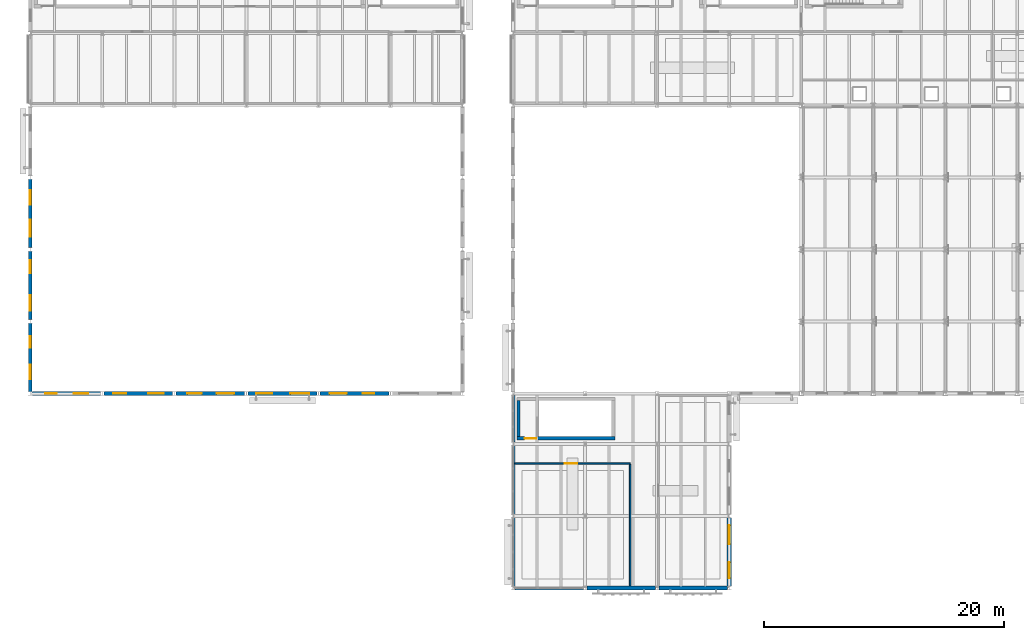
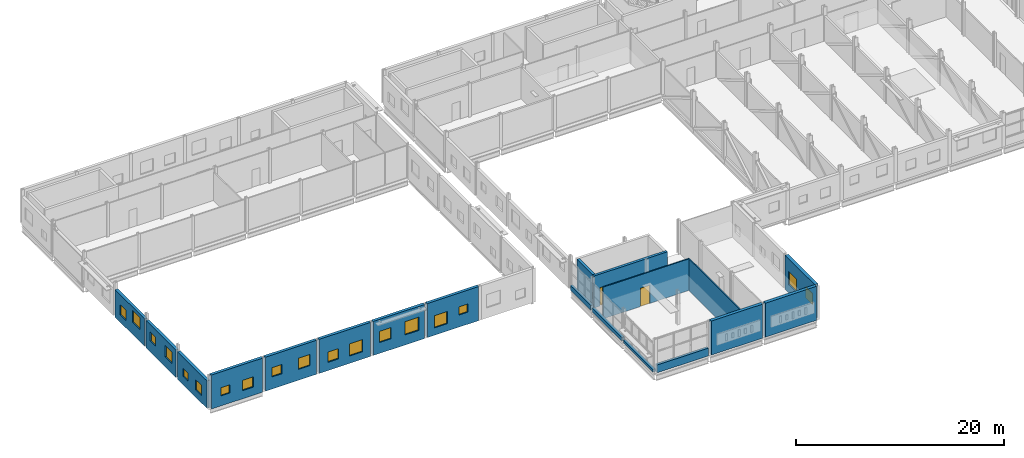
# One storey, part 63 of 92: 19 walls, 18 windows, 2 doors, 20 openings.
"""IFC4 building model written with IfcOpenShell, lengths in metres."""

from ifc_helpers import new_model, si_unit, direction, frame, frame_2d, origin, place, context, subcontext, project, spatial, rectangle, extrude, material, layer, layer_set, type_object, element, fill, save


model = new_model("IFC4")

# Units and contexts
model_context = context("Model", 3, precision=1e-05, world=origin(), true_north=direction((0.0, 1.0)))
body_context = subcontext(model_context, "Body", "Model", "MODEL_VIEW")
ifc_project = project(units=[si_unit("LENGTHUNIT", "METRE"), si_unit("AREAUNIT", "SQUARE_METRE"), si_unit("VOLUMEUNIT", "CUBIC_METRE"), si_unit("PLANEANGLEUNIT", "RADIAN"), si_unit("MASSUNIT", "GRAM", prefix="KILO")], contexts=[model_context])

# Site, building, storey
site_placement = place(None, origin())
site = spatial("IfcSite", under=ifc_project, at=site_placement, CompositionType="ELEMENT")
building_placement = place(site_placement, origin())
building = spatial("IfcBuilding", under=site, at=building_placement, Name="Siltcreek Boulevard Central Fire Station", CompositionType="ELEMENT")
storey_placement = place(building_placement, frame((0.0, 0.0, 6.0)))
storey = spatial("IfcBuildingStorey", under=building, at=storey_placement, Name="L02", CompositionType="ELEMENT", Elevation=6.0)

# Wall, opening, door
ifc_material_1 = material(Name="Concrete C40/50", Category="concrete")
ifc_layer_1 = layer(ifc_material_1, 0.280029296875, Name="Concrete C40/50")
ifc_layer_set_1 = layer_set([ifc_layer_1], Name="Concrete C40/50")
wall_type_1 = type_object("IfcWallType", Name="CW_SHEAR280", PredefinedType="SHEAR", material=ifc_layer_set_1)
wall_1_placement = place(storey_placement, frame((42.320068359375, 14.260009765625, 0.0), z_axis=(0.0, 0.0, 1.0), x_axis=(1.0, 0.0, 0.0)))
wall_1 = element("IfcWall", 1, at=wall_1_placement, inside=storey, type_object=wall_type_1, Name="L02 ST-V1P stair enclosure south shear wall", PredefinedType="SHEAR", context=body_context, shape_type="SweptSolid", body=[
    extrude(rectangle(XDim=8.159912109375, YDim=0.280029296875, at=frame_2d((4.080078125, 0.0))), origin(), (0.0, 0.0, 1.0), 3.75),
])
opening_1_placement = place(wall_1_placement, frame((0.64990234375, 0.0, 0.0)))
opening_1 = element("IfcOpeningElement", 2, at=opening_1_placement, cuts=wall_1, Name="Opening SD-019", PredefinedType="OPENING", context=body_context, shape_type="SweptSolid", body=[
    extrude(rectangle(XDim=0.97998046875, YDim=2.14990234375, at=frame_2d((0.489990234375, 1.074951171875))), frame((0.0, 0.14990234375, 0.0), z_axis=(0.0, -1.0, 0.0), x_axis=(1.0, 0.0, 0.0)), (0.0, 0.0, 1.0), 0.300048828125),
])
ifc_material_2 = material(Name="Hollow metal 90-min enclosed stair door")
door_type_1 = type_object("IfcDoorType", Name="DR_ST_098X215", OperationType="NOTDEFINED", PredefinedType="DOOR", material=ifc_material_2)
door_1_placement = place(opening_1_placement, origin())
door_1 = element("IfcDoor", 3, at=door_1_placement, inside=storey, type_object=door_type_1, Name="L02 ST-V1P enclosed exit stair door SD-019", OperationType="SINGLE_SWING_RIGHT", OverallHeight=2.14990234375, OverallWidth=0.97998046875, PredefinedType="DOOR", context=body_context, shape_type="SweptSolid", body=[
    extrude(rectangle(XDim=0.97998046875, YDim=2.14990234375, at=frame_2d((0.489990234375, 1.074951171875))), frame((0.0, 0.02490234375, 0.0), z_axis=(0.0, -1.0, 0.0), x_axis=(1.0, 0.0, 0.0)), (0.0, 0.0, 1.0), 0.050048828125),
])
fill(opening_1, door_1)

# Walls
wall_2_placement = place(storey_placement, frame((42.4599609375, 17.39990234375, 0.0), z_axis=(0.0, 0.0, 1.0), x_axis=(0.0, -1.0, 0.0)))
element("IfcWall", 4, at=wall_2_placement, inside=storey, type_object=wall_type_1, Name="L02 ST-V1P stair enclosure west shear wall", PredefinedType="SHEAR", context=body_context, shape_type="SweptSolid", body=[
    extrude(rectangle(XDim=3.0, YDim=0.280029296875, at=frame_2d((1.5, 0.0))), origin(), (0.0, 0.0, 1.0), 3.75),
])
ifc_material_3 = material(Name="Terracotta brick rainscreen on steel stud", Category="masonry")
ifc_layer_2 = layer(ifc_material_3, 0.35009765625, Name="Terracotta brick rainscreen on steel stud")
ifc_layer_set_2 = layer_set([ifc_layer_2], Name="Terracotta brick rainscreen on steel stud")
wall_type_2 = type_object("IfcWallType", Name="EW_BRICK350", PredefinedType="STANDARD", material=ifc_layer_set_2)
for number, where, z_axis, x_axis, name in (
    (5, (48.14501953125, 1.800048828125, 0.0), (0.0, 0.0, 1.0), (1.0, 0.0, 0.0), "L02 V1 exterior insulated rainscreen wall WL-EXT-L02-0030"),
    (6, (54.14501953125, 1.800048828125, 0.0), (0.0, 0.0, 1.0), (1.0, 0.0, 0.0), "L02 V1 exterior insulated rainscreen wall WL-EXT-L02-0031"),
):
    element("IfcWall", number, at=place(storey_placement, frame(where, z_axis=z_axis, x_axis=x_axis)), inside=storey, type_object=wall_type_2, Name=name, PredefinedType="STANDARD", context=body_context, shape_type="SweptSolid", body=[
        extrude(rectangle(XDim=5.7099609375, YDim=0.35009765625, at=frame_2d((2.85498046875, 0.0))), origin(), (0.0, 0.0, 1.0), 4.0),
    ])

# Wall, openings, windows
wall_3_placement = place(storey_placement, frame((60.0, 1.945068359375, 0.0), z_axis=(0.0, 0.0, 1.0), x_axis=(0.0, 1.0, 0.0)))
wall_3 = element("IfcWall", 7, at=wall_3_placement, inside=storey, type_object=wall_type_2, Name="L02 V1 exterior insulated rainscreen wall WL-EXT-L02-0046", PredefinedType="STANDARD", context=body_context, shape_type="SweptSolid", body=[
    extrude(rectangle(XDim=5.7099609375, YDim=0.35009765625, at=frame_2d((2.85498046875, 0.0))), origin(), (0.0, 0.0, 1.0), 4.0),
])
opening_2_placement = place(wall_3_placement, frame((0.669921875, 0.0, 1.179931640625)))
opening_2 = element("IfcOpeningElement", 8, at=opening_2_placement, cuts=wall_3, Name="Opening WN02", PredefinedType="OPENING", context=body_context, shape_type="SweptSolid", body=[
    extrude(rectangle(XDim=1.320068359375, YDim=1.320068359375, at=frame_2d((0.66015625, 0.66015625))), frame((0.0, 0.18505859375, 0.0), z_axis=(0.0, -1.0, 0.0), x_axis=(1.0, 0.0, 0.0)), (0.0, 0.0, 1.0), 0.3701171875),
])
opening_3_placement = place(wall_3_placement, frame((3.504150390625, 0.0, 0.9599609375)))
opening_3 = element("IfcOpeningElement", 9, at=opening_3_placement, cuts=wall_3, Name="Opening WN04", PredefinedType="OPENING", context=body_context, shape_type="SweptSolid", body=[
    extrude(rectangle(XDim=1.56005859375, YDim=1.56005859375, at=frame_2d((0.780029296875, 0.780029296875))), frame((0.0, 0.18505859375, 0.0), z_axis=(0.0, -1.0, 0.0), x_axis=(1.0, 0.0, 0.0)), (0.0, 0.0, 1.0), 0.3701171875),
])
ifc_material_4 = material(Name="Thermally broken aluminum frame with low-E insulated glass", Category="aluminium")
window_type_1 = type_object("IfcWindowType", Name="WN_SQ_132X132", PartitioningType="SINGLE_PANEL", PredefinedType="WINDOW", material=ifc_material_4)
window_1_placement = place(opening_2_placement, origin())
window_1 = element("IfcWindow", 10, at=window_1_placement, inside=storey, type_object=window_type_1, Name="L02 V1 square exterior window WN-0028", OverallHeight=1.320068359375, OverallWidth=1.320068359375, PartitioningType="SINGLE_PANEL", PredefinedType="WINDOW", context=body_context, shape_type="SweptSolid", body=[
    extrude(rectangle(XDim=1.320068359375, YDim=1.320068359375, at=frame_2d((0.66015625, 0.66015625))), frame((0.0, 0.030029296875, 0.0), z_axis=(0.0, -1.0, 0.0), x_axis=(1.0, 0.0, 0.0)), (0.0, 0.0, 1.0), 0.06005859375),
])
fill(opening_2, window_1)
window_type_2 = type_object("IfcWindowType", Name="WN_SQ_156X156", PartitioningType="SINGLE_PANEL", PredefinedType="WINDOW", material=ifc_material_4)
window_2_placement = place(opening_3_placement, origin())
window_2 = element("IfcWindow", 11, at=window_2_placement, inside=storey, type_object=window_type_2, Name="L02 V1 square exterior window WN-0029", OverallHeight=1.56005859375, OverallWidth=1.56005859375, PartitioningType="SINGLE_PANEL", PredefinedType="WINDOW", context=body_context, shape_type="SweptSolid", body=[
    extrude(rectangle(XDim=1.56005859375, YDim=1.56005859375, at=frame_2d((0.780029296875, 0.780029296875))), frame((0.0, 0.030029296875, 0.0), z_axis=(0.0, -1.0, 0.0), x_axis=(1.0, 0.0, 0.0)), (0.0, 0.0, 1.0), 0.06005859375),
])
fill(opening_3, window_2)

# Walls
ifc_material_5 = material(Name="White ribbed aluminum spandrel wall", Category="aluminium")
ifc_layer_3 = layer(ifc_material_5, 0.2900390625, Name="White ribbed aluminum spandrel wall")
ifc_layer_set_3 = layer_set([ifc_layer_3], Name="White ribbed aluminum spandrel wall")
wall_type_3 = type_object("IfcWallType", Name="EW_METAL290", PredefinedType="STANDARD", material=ifc_layer_set_3)
wall_4_placement = place(storey_placement, frame((42.14501953125, 1.800048828125, 0.0), z_axis=(0.0, 0.0, 1.0), x_axis=(1.0, 0.0, 0.0)))
element("IfcWall", 12, at=wall_4_placement, inside=storey, type_object=wall_type_3, Name="L02 V1 curtain-wall sill spandrel 0029", PredefinedType="STANDARD", context=body_context, shape_type="SweptSolid", body=[
    extrude(rectangle(XDim=5.7099609375, YDim=0.2900390625, at=frame_2d((2.85498046875, 0.0))), origin(), (0.0, 0.0, 1.0), 0.919921875),
])
wall_5_placement = place(storey_placement, frame((42.0, 7.655029296875, 0.0), z_axis=(0.0, 0.0, 1.0), x_axis=(0.0, -1.0, 0.0)))
element("IfcWall", 13, at=wall_5_placement, inside=storey, type_object=wall_type_3, Name="L02 V1 curtain-wall sill spandrel 0037", PredefinedType="STANDARD", context=body_context, shape_type="SweptSolid", body=[
    extrude(rectangle(XDim=5.7099609375, YDim=0.2900390625, at=frame_2d((2.85498046875, 0.0))), origin(), (0.0, 0.0, 1.0), 0.320068359375),
])
wall_6_placement = place(storey_placement, frame((42.0, 13.655029296875, 0.0), z_axis=(0.0, 0.0, 1.0), x_axis=(0.0, -1.0, 0.0)))
element("IfcWall", 14, at=wall_6_placement, inside=storey, type_object=wall_type_3, Name="L02 V1 curtain-wall sill spandrel 0038", PredefinedType="STANDARD", context=body_context, shape_type="SweptSolid", body=[
    extrude(rectangle(XDim=5.7099609375, YDim=0.2900390625, at=frame_2d((2.85498046875, 0.0))), origin(), (0.0, 0.0, 1.0), 0.43994140625),
])
wall_7_placement = place(storey_placement, frame((42.0, 17.85498046875, 0.0), z_axis=(0.0, 0.0, 1.0), x_axis=(0.0, -1.0, 0.0)))
element("IfcWall", 15, at=wall_7_placement, inside=storey, type_object=wall_type_3, Name="L02 V1 curtain-wall sill spandrel 0039", PredefinedType="STANDARD", context=body_context, shape_type="SweptSolid", body=[
    extrude(rectangle(XDim=3.909912109375, YDim=0.2900390625, at=frame_2d((1.955078125, 0.0))), origin(), (0.0, 0.0, 1.0), 0.56005859375),
])

# Wall, openings, windows
ifc_material_6 = material(Name="White ribbed aluminum insulated rainscreen panel", Category="aluminium")
ifc_layer_4 = layer(ifc_material_6, 0.320068359375, Name="White ribbed aluminum insulated rainscreen panel")
ifc_layer_set_4 = layer_set([ifc_layer_4], Name="White ribbed aluminum insulated rainscreen panel")
wall_type_4 = type_object("IfcWallType", Name="EW_METAL320", PredefinedType="STANDARD", material=ifc_layer_set_4)
wall_8_placement = place(storey_placement, frame((1.945068359375, 18.0, 0.0), z_axis=(0.0, 0.0, 1.0), x_axis=(1.0, 0.0, 0.0)))
wall_8 = element("IfcWall", 16, at=wall_8_placement, inside=storey, type_object=wall_type_4, Name="L02 V4 exterior insulated rainscreen wall WL-EXT-L02-0247", PredefinedType="STANDARD", context=body_context, shape_type="SweptSolid", body=[
    extrude(rectangle(XDim=5.7099609375, YDim=0.320068359375, at=frame_2d((2.85498046875, 0.0))), origin(), (0.0, 0.0, 1.0), 4.0),
])
opening_4_placement = place(wall_8_placement, frame((1.09228515625, 0.0, 1.179931640625)))
opening_4 = element("IfcOpeningElement", 17, at=opening_4_placement, cuts=wall_8, Name="Opening WN06", PredefinedType="OPENING", context=body_context, shape_type="SweptSolid", body=[
    extrude(rectangle(XDim=0.9599609375, YDim=0.9599609375, at=frame_2d((0.47998046875, 0.47998046875))), frame((0.0, 0.169921875, 0.0), z_axis=(0.0, -1.0, 0.0), x_axis=(1.0, 0.0, 0.0)), (0.0, 0.0, 1.0), 0.340087890625),
])
opening_5_placement = place(wall_8_placement, frame((3.46240234375, 0.0, 0.9599609375)))
opening_5 = element("IfcOpeningElement", 18, at=opening_5_placement, cuts=wall_8, Name="Opening WN01", PredefinedType="OPENING", context=body_context, shape_type="SweptSolid", body=[
    extrude(rectangle(XDim=1.199951171875, YDim=1.199951171875, at=frame_2d((0.60009765625, 0.60009765625))), frame((0.0, 0.169921875, 0.0), z_axis=(0.0, -1.0, 0.0), x_axis=(1.0, 0.0, 0.0)), (0.0, 0.0, 1.0), 0.340087890625),
])
window_type_3 = type_object("IfcWindowType", Name="WN_SQ_096X096", PartitioningType="SINGLE_PANEL", PredefinedType="WINDOW", material=ifc_material_4)
window_3_placement = place(opening_4_placement, origin())
window_3 = element("IfcWindow", 19, at=window_3_placement, inside=storey, type_object=window_type_3, Name="L02 V4 square exterior window WN-0103", OverallHeight=0.9599609375, OverallWidth=0.9599609375, PartitioningType="SINGLE_PANEL", PredefinedType="WINDOW", context=body_context, shape_type="SweptSolid", body=[
    extrude(rectangle(XDim=0.9599609375, YDim=0.9599609375, at=frame_2d((0.47998046875, 0.47998046875))), frame((0.0, 0.030029296875, 0.0), z_axis=(0.0, -1.0, 0.0), x_axis=(1.0, 0.0, 0.0)), (0.0, 0.0, 1.0), 0.06005859375),
])
fill(opening_4, window_3)
window_type_4 = type_object("IfcWindowType", Name="WN_SQ_120X120", PartitioningType="SINGLE_PANEL", PredefinedType="WINDOW", material=ifc_material_4)
window_4_placement = place(opening_5_placement, origin())
window_4 = element("IfcWindow", 20, at=window_4_placement, inside=storey, type_object=window_type_4, Name="L02 V4 square exterior window WN-0104", OverallHeight=1.199951171875, OverallWidth=1.199951171875, PartitioningType="SINGLE_PANEL", PredefinedType="WINDOW", context=body_context, shape_type="SweptSolid", body=[
    extrude(rectangle(XDim=1.199951171875, YDim=1.199951171875, at=frame_2d((0.60009765625, 0.60009765625))), frame((0.0, 0.030029296875, 0.0), z_axis=(0.0, -1.0, 0.0), x_axis=(1.0, 0.0, 0.0)), (0.0, 0.0, 1.0), 0.06005859375),
])
fill(opening_5, window_4)

wall_9_placement = place(storey_placement, frame((7.945068359375, 18.0, 0.0), z_axis=(0.0, 0.0, 1.0), x_axis=(1.0, 0.0, 0.0)))
wall_9 = element("IfcWall", 21, at=wall_9_placement, inside=storey, type_object=wall_type_4, Name="L02 V4 exterior insulated rainscreen wall WL-EXT-L02-0248", PredefinedType="STANDARD", context=body_context, shape_type="SweptSolid", body=[
    extrude(rectangle(XDim=5.7099609375, YDim=0.320068359375, at=frame_2d((2.85498046875, 0.0))), origin(), (0.0, 0.0, 1.0), 4.0),
])
opening_6_placement = place(wall_9_placement, frame((0.75390625, 0.0, 1.419921875)))
opening_6 = element("IfcOpeningElement", 22, at=opening_6_placement, cuts=wall_9, Name="Opening WN05", PredefinedType="OPENING", context=body_context, shape_type="SweptSolid", body=[
    extrude(rectangle(XDim=1.080078125, YDim=1.080078125, at=frame_2d((0.5400390625, 0.5400390625))), frame((0.0, 0.169921875, 0.0), z_axis=(0.0, -1.0, 0.0), x_axis=(1.0, 0.0, 0.0)), (0.0, 0.0, 1.0), 0.340087890625),
])
opening_7_placement = place(wall_9_placement, frame((3.66015625, 0.0, 1.280029296875)))
opening_7 = element("IfcOpeningElement", 23, at=opening_7_placement, cuts=wall_9, Name="Opening WN02", PredefinedType="OPENING", context=body_context, shape_type="SweptSolid", body=[
    extrude(rectangle(XDim=1.320068359375, YDim=1.320068359375, at=frame_2d((0.66015625, 0.66015625))), frame((0.0, 0.169921875, 0.0), z_axis=(0.0, -1.0, 0.0), x_axis=(1.0, 0.0, 0.0)), (0.0, 0.0, 1.0), 0.340087890625),
])
window_type_5 = type_object("IfcWindowType", Name="WN_SQ_108X108", PartitioningType="SINGLE_PANEL", PredefinedType="WINDOW", material=ifc_material_4)
window_5_placement = place(opening_6_placement, origin())
window_5 = element("IfcWindow", 24, at=window_5_placement, inside=storey, type_object=window_type_5, Name="L02 V4 square exterior window WN-0105", OverallHeight=1.080078125, OverallWidth=1.080078125, PartitioningType="SINGLE_PANEL", PredefinedType="WINDOW", context=body_context, shape_type="SweptSolid", body=[
    extrude(rectangle(XDim=1.080078125, YDim=1.080078125, at=frame_2d((0.5400390625, 0.5400390625))), frame((0.0, 0.030029296875, 0.0), z_axis=(0.0, -1.0, 0.0), x_axis=(1.0, 0.0, 0.0)), (0.0, 0.0, 1.0), 0.06005859375),
])
fill(opening_6, window_5)
window_6_placement = place(opening_7_placement, origin())
window_6 = element("IfcWindow", 25, at=window_6_placement, inside=storey, type_object=window_type_1, Name="L02 V4 square exterior window WN-0106", OverallHeight=1.320068359375, OverallWidth=1.320068359375, PartitioningType="SINGLE_PANEL", PredefinedType="WINDOW", context=body_context, shape_type="SweptSolid", body=[
    extrude(rectangle(XDim=1.320068359375, YDim=1.320068359375, at=frame_2d((0.66015625, 0.66015625))), frame((0.0, 0.030029296875, 0.0), z_axis=(0.0, -1.0, 0.0), x_axis=(1.0, 0.0, 0.0)), (0.0, 0.0, 1.0), 0.06005859375),
])
fill(opening_7, window_6)

wall_10_placement = place(storey_placement, frame((13.945068359375, 18.0, 0.0), z_axis=(0.0, 0.0, 1.0), x_axis=(1.0, 0.0, 0.0)))
wall_10 = element("IfcWall", 26, at=wall_10_placement, inside=storey, type_object=wall_type_4, Name="L02 V4 exterior insulated rainscreen wall WL-EXT-L02-0249", PredefinedType="STANDARD", context=body_context, shape_type="SweptSolid", body=[
    extrude(rectangle(XDim=5.7099609375, YDim=0.320068359375, at=frame_2d((2.85498046875, 0.0))), origin(), (0.0, 0.0, 1.0), 4.0),
])
opening_8_placement = place(wall_10_placement, frame((0.936279296875, 0.0, 0.9599609375)))
opening_8 = element("IfcOpeningElement", 27, at=opening_8_placement, cuts=wall_10, Name="Opening WN01", PredefinedType="OPENING", context=body_context, shape_type="SweptSolid", body=[
    extrude(rectangle(XDim=1.199951171875, YDim=1.199951171875, at=frame_2d((0.60009765625, 0.60009765625))), frame((0.0, 0.169921875, 0.0), z_axis=(0.0, -1.0, 0.0), x_axis=(1.0, 0.0, 0.0)), (0.0, 0.0, 1.0), 0.340087890625),
])
opening_9_placement = place(wall_10_placement, frame((3.37841796875, 0.0, 0.860107421875)))
opening_9 = element("IfcOpeningElement", 28, at=opening_9_placement, cuts=wall_10, Name="Opening WN03", PredefinedType="OPENING", context=body_context, shape_type="SweptSolid", body=[
    extrude(rectangle(XDim=1.43994140625, YDim=1.43994140625, at=frame_2d((0.719970703125, 0.719970703125))), frame((0.0, 0.169921875, 0.0), z_axis=(0.0, -1.0, 0.0), x_axis=(1.0, 0.0, 0.0)), (0.0, 0.0, 1.0), 0.340087890625),
])
window_7_placement = place(opening_8_placement, origin())
window_7 = element("IfcWindow", 29, at=window_7_placement, inside=storey, type_object=window_type_4, Name="L02 V4 square exterior window WN-0107", OverallHeight=1.199951171875, OverallWidth=1.199951171875, PartitioningType="SINGLE_PANEL", PredefinedType="WINDOW", context=body_context, shape_type="SweptSolid", body=[
    extrude(rectangle(XDim=1.199951171875, YDim=1.199951171875, at=frame_2d((0.60009765625, 0.60009765625))), frame((0.0, 0.030029296875, 0.0), z_axis=(0.0, -1.0, 0.0), x_axis=(1.0, 0.0, 0.0)), (0.0, 0.0, 1.0), 0.06005859375),
])
fill(opening_8, window_7)
window_type_6 = type_object("IfcWindowType", Name="WN_SQ_144X144", PartitioningType="SINGLE_PANEL", PredefinedType="WINDOW", material=ifc_material_4)
window_8_placement = place(opening_9_placement, origin())
window_8 = element("IfcWindow", 30, at=window_8_placement, inside=storey, type_object=window_type_6, Name="L02 V4 square exterior window WN-0108", OverallHeight=1.43994140625, OverallWidth=1.43994140625, PartitioningType="SINGLE_PANEL", PredefinedType="WINDOW", context=body_context, shape_type="SweptSolid", body=[
    extrude(rectangle(XDim=1.43994140625, YDim=1.43994140625, at=frame_2d((0.719970703125, 0.719970703125))), frame((0.0, 0.030029296875, 0.0), z_axis=(0.0, -1.0, 0.0), x_axis=(1.0, 0.0, 0.0)), (0.0, 0.0, 1.0), 0.06005859375),
])
fill(opening_9, window_8)

wall_11_placement = place(storey_placement, frame((19.945068359375, 18.0, 0.0), z_axis=(0.0, 0.0, 1.0), x_axis=(1.0, 0.0, 0.0)))
wall_11 = element("IfcWall", 31, at=wall_11_placement, inside=storey, type_object=wall_type_4, Name="L02 V4 exterior insulated rainscreen wall WL-EXT-L02-0250", PredefinedType="STANDARD", context=body_context, shape_type="SweptSolid", body=[
    extrude(rectangle(XDim=5.7099609375, YDim=0.320068359375, at=frame_2d((2.85498046875, 0.0))), origin(), (0.0, 0.0, 1.0), 4.0),
])
opening_10_placement = place(wall_11_placement, frame((0.669921875, 0.0, 1.280029296875)))
opening_10 = element("IfcOpeningElement", 32, at=opening_10_placement, cuts=wall_11, Name="Opening WN02", PredefinedType="OPENING", context=body_context, shape_type="SweptSolid", body=[
    extrude(rectangle(XDim=1.320068359375, YDim=1.320068359375, at=frame_2d((0.66015625, 0.66015625))), frame((0.0, 0.169921875, 0.0), z_axis=(0.0, -1.0, 0.0), x_axis=(1.0, 0.0, 0.0)), (0.0, 0.0, 1.0), 0.340087890625),
])
opening_11_placement = place(wall_11_placement, frame((3.504150390625, 0.0, 1.179931640625)))
opening_11 = element("IfcOpeningElement", 33, at=opening_11_placement, cuts=wall_11, Name="Opening WN04", PredefinedType="OPENING", context=body_context, shape_type="SweptSolid", body=[
    extrude(rectangle(XDim=1.56005859375, YDim=1.56005859375, at=frame_2d((0.780029296875, 0.780029296875))), frame((0.0, 0.169921875, 0.0), z_axis=(0.0, -1.0, 0.0), x_axis=(1.0, 0.0, 0.0)), (0.0, 0.0, 1.0), 0.340087890625),
])
window_9_placement = place(opening_10_placement, origin())
window_9 = element("IfcWindow", 34, at=window_9_placement, inside=storey, type_object=window_type_1, Name="L02 V4 square exterior window WN-0109", OverallHeight=1.320068359375, OverallWidth=1.320068359375, PartitioningType="SINGLE_PANEL", PredefinedType="WINDOW", context=body_context, shape_type="SweptSolid", body=[
    extrude(rectangle(XDim=1.320068359375, YDim=1.320068359375, at=frame_2d((0.66015625, 0.66015625))), frame((0.0, 0.030029296875, 0.0), z_axis=(0.0, -1.0, 0.0), x_axis=(1.0, 0.0, 0.0)), (0.0, 0.0, 1.0), 0.06005859375),
])
fill(opening_10, window_9)
window_10_placement = place(opening_11_placement, origin())
window_10 = element("IfcWindow", 35, at=window_10_placement, inside=storey, type_object=window_type_2, Name="L02 V4 square exterior window WN-0110", OverallHeight=1.56005859375, OverallWidth=1.56005859375, PartitioningType="SINGLE_PANEL", PredefinedType="WINDOW", context=body_context, shape_type="SweptSolid", body=[
    extrude(rectangle(XDim=1.56005859375, YDim=1.56005859375, at=frame_2d((0.780029296875, 0.780029296875))), frame((0.0, 0.030029296875, 0.0), z_axis=(0.0, -1.0, 0.0), x_axis=(1.0, 0.0, 0.0)), (0.0, 0.0, 1.0), 0.06005859375),
])
fill(opening_11, window_10)

wall_12_placement = place(storey_placement, frame((25.945068359375, 18.0, 0.0), z_axis=(0.0, 0.0, 1.0), x_axis=(1.0, 0.0, 0.0)))
wall_12 = element("IfcWall", 36, at=wall_12_placement, inside=storey, type_object=wall_type_4, Name="L02 V4 exterior insulated rainscreen wall WL-EXT-L02-0251", PredefinedType="STANDARD", context=body_context, shape_type="SweptSolid", body=[
    extrude(rectangle(XDim=5.7099609375, YDim=0.320068359375, at=frame_2d((2.85498046875, 0.0))), origin(), (0.0, 0.0, 1.0), 4.0),
])
opening_12_placement = place(wall_12_placement, frame((0.7802734375, 0.0, 0.860107421875)))
opening_12 = element("IfcOpeningElement", 37, at=opening_12_placement, cuts=wall_12, Name="Opening WN03", PredefinedType="OPENING", context=body_context, shape_type="SweptSolid", body=[
    extrude(rectangle(XDim=1.43994140625, YDim=1.43994140625, at=frame_2d((0.719970703125, 0.719970703125))), frame((0.0, 0.169921875, 0.0), z_axis=(0.0, -1.0, 0.0), x_axis=(1.0, 0.0, 0.0)), (0.0, 0.0, 1.0), 0.340087890625),
])
opening_13_placement = place(wall_12_placement, frame((3.54638671875, 0.0, 1.419921875)))
opening_13 = element("IfcOpeningElement", 38, at=opening_13_placement, cuts=wall_12, Name="Opening WN06", PredefinedType="OPENING", context=body_context, shape_type="SweptSolid", body=[
    extrude(rectangle(XDim=0.9599609375, YDim=0.9599609375, at=frame_2d((0.47998046875, 0.47998046875))), frame((0.0, 0.169921875, 0.0), z_axis=(0.0, -1.0, 0.0), x_axis=(1.0, 0.0, 0.0)), (0.0, 0.0, 1.0), 0.340087890625),
])
window_11_placement = place(opening_13_placement, origin())
window_11 = element("IfcWindow", 39, at=window_11_placement, inside=storey, type_object=window_type_3, Name="L02 V4 square exterior window WN-0112", OverallHeight=0.9599609375, OverallWidth=0.9599609375, PartitioningType="SINGLE_PANEL", PredefinedType="WINDOW", context=body_context, shape_type="SweptSolid", body=[
    extrude(rectangle(XDim=0.9599609375, YDim=0.9599609375, at=frame_2d((0.47998046875, 0.47998046875))), frame((0.0, 0.030029296875, 0.0), z_axis=(0.0, -1.0, 0.0), x_axis=(1.0, 0.0, 0.0)), (0.0, 0.0, 1.0), 0.06005859375),
])
fill(opening_13, window_11)
window_12_placement = place(opening_12_placement, origin())
window_12 = element("IfcWindow", 40, at=window_12_placement, inside=storey, type_object=window_type_6, Name="L02 V4 square exterior window WN-0111", OverallHeight=1.43994140625, OverallWidth=1.43994140625, PartitioningType="SINGLE_PANEL", PredefinedType="WINDOW", context=body_context, shape_type="SweptSolid", body=[
    extrude(rectangle(XDim=1.43994140625, YDim=1.43994140625, at=frame_2d((0.719970703125, 0.719970703125))), frame((0.0, 0.030029296875, 0.0), z_axis=(0.0, -1.0, 0.0), x_axis=(1.0, 0.0, 0.0)), (0.0, 0.0, 1.0), 0.06005859375),
])
fill(opening_12, window_12)

wall_13_placement = place(storey_placement, frame((1.800048828125, 23.85498046875, 0.0), z_axis=(0.0, 0.0, 1.0), x_axis=(0.0, -1.0, 0.0)))
wall_13 = element("IfcWall", 41, at=wall_13_placement, inside=storey, type_object=wall_type_4, Name="L02 V4 exterior insulated rainscreen wall WL-EXT-L02-0259", PredefinedType="STANDARD", context=body_context, shape_type="SweptSolid", body=[
    extrude(rectangle(XDim=5.7099609375, YDim=0.320068359375, at=frame_2d((2.85498046875, 0.0))), origin(), (0.0, 0.0, 1.0), 3.22900390625),
])
opening_14_placement = place(wall_13_placement, frame((1.09228515625, 0.0, 0.9599609375)))
opening_14 = element("IfcOpeningElement", 42, at=opening_14_placement, cuts=wall_13, Name="Opening WN06", PredefinedType="OPENING", context=body_context, shape_type="SweptSolid", body=[
    extrude(rectangle(XDim=0.9599609375, YDim=0.9599609375, at=frame_2d((0.47998046875, 0.47998046875))), frame((0.0, 0.169921875, 0.0), z_axis=(0.0, -1.0, 0.0), x_axis=(1.0, 0.0, 0.0)), (0.0, 0.0, 1.0), 0.340087890625),
])
opening_15_placement = place(wall_13_placement, frame((3.46240234375, 0.0, 0.860107421875)))
opening_15 = element("IfcOpeningElement", 43, at=opening_15_placement, cuts=wall_13, Name="Opening WN01", PredefinedType="OPENING", context=body_context, shape_type="SweptSolid", body=[
    extrude(rectangle(XDim=1.199951171875, YDim=1.199951171875, at=frame_2d((0.60009765625, 0.60009765625))), frame((0.0, 0.169921875, 0.0), z_axis=(0.0, -1.0, 0.0), x_axis=(1.0, 0.0, 0.0)), (0.0, 0.0, 1.0), 0.340087890625),
])
window_13_placement = place(opening_14_placement, origin())
window_13 = element("IfcWindow", 44, at=window_13_placement, inside=storey, type_object=window_type_3, Name="L02 V4 square exterior window WN-0127", OverallHeight=0.9599609375, OverallWidth=0.9599609375, PartitioningType="SINGLE_PANEL", PredefinedType="WINDOW", context=body_context, shape_type="SweptSolid", body=[
    extrude(rectangle(XDim=0.9599609375, YDim=0.9599609375, at=frame_2d((0.47998046875, 0.47998046875))), frame((0.0, 0.030029296875, 0.0), z_axis=(0.0, -1.0, 0.0), x_axis=(1.0, 0.0, 0.0)), (0.0, 0.0, 1.0), 0.06005859375),
])
fill(opening_14, window_13)
window_14_placement = place(opening_15_placement, origin())
window_14 = element("IfcWindow", 45, at=window_14_placement, inside=storey, type_object=window_type_4, Name="L02 V4 square exterior window WN-0128", OverallHeight=1.199951171875, OverallWidth=1.199951171875, PartitioningType="SINGLE_PANEL", PredefinedType="WINDOW", context=body_context, shape_type="SweptSolid", body=[
    extrude(rectangle(XDim=1.199951171875, YDim=1.199951171875, at=frame_2d((0.60009765625, 0.60009765625))), frame((0.0, 0.030029296875, 0.0), z_axis=(0.0, -1.0, 0.0), x_axis=(1.0, 0.0, 0.0)), (0.0, 0.0, 1.0), 0.06005859375),
])
fill(opening_15, window_14)

wall_14_placement = place(storey_placement, frame((1.800048828125, 29.85498046875, 0.0), z_axis=(0.0, 0.0, 1.0), x_axis=(0.0, -1.0, 0.0)))
wall_14 = element("IfcWall", 46, at=wall_14_placement, inside=storey, type_object=wall_type_4, Name="L02 V4 exterior insulated rainscreen wall WL-EXT-L02-0260", PredefinedType="STANDARD", context=body_context, shape_type="SweptSolid", body=[
    extrude(rectangle(XDim=5.7099609375, YDim=0.320068359375, at=frame_2d((2.85498046875, 0.0))), origin(), (0.0, 0.0, 1.0), 3.22900390625),
])
opening_16_placement = place(wall_14_placement, frame((0.75390625, 0.0, 1.280029296875)))
opening_16 = element("IfcOpeningElement", 47, at=opening_16_placement, cuts=wall_14, Name="Opening WN05", PredefinedType="OPENING", context=body_context, shape_type="SweptSolid", body=[
    extrude(rectangle(XDim=1.080078125, YDim=1.080078125, at=frame_2d((0.5400390625, 0.5400390625))), frame((0.0, 0.169921875, 0.0), z_axis=(0.0, -1.0, 0.0), x_axis=(1.0, 0.0, 0.0)), (0.0, 0.0, 1.0), 0.340087890625),
])
opening_17_placement = place(wall_14_placement, frame((3.66015625, 0.0, 1.179931640625)))
opening_17 = element("IfcOpeningElement", 48, at=opening_17_placement, cuts=wall_14, Name="Opening WN02", PredefinedType="OPENING", context=body_context, shape_type="SweptSolid", body=[
    extrude(rectangle(XDim=1.320068359375, YDim=1.320068359375, at=frame_2d((0.66015625, 0.66015625))), frame((0.0, 0.169921875, 0.0), z_axis=(0.0, -1.0, 0.0), x_axis=(1.0, 0.0, 0.0)), (0.0, 0.0, 1.0), 0.340087890625),
])
window_15_placement = place(opening_16_placement, origin())
window_15 = element("IfcWindow", 49, at=window_15_placement, inside=storey, type_object=window_type_5, Name="L02 V4 square exterior window WN-0129", OverallHeight=1.080078125, OverallWidth=1.080078125, PartitioningType="SINGLE_PANEL", PredefinedType="WINDOW", context=body_context, shape_type="SweptSolid", body=[
    extrude(rectangle(XDim=1.080078125, YDim=1.080078125, at=frame_2d((0.5400390625, 0.5400390625))), frame((0.0, 0.030029296875, 0.0), z_axis=(0.0, -1.0, 0.0), x_axis=(1.0, 0.0, 0.0)), (0.0, 0.0, 1.0), 0.06005859375),
])
fill(opening_16, window_15)
window_16_placement = place(opening_17_placement, origin())
window_16 = element("IfcWindow", 50, at=window_16_placement, inside=storey, type_object=window_type_1, Name="L02 V4 square exterior window WN-0130", OverallHeight=1.320068359375, OverallWidth=1.320068359375, PartitioningType="SINGLE_PANEL", PredefinedType="WINDOW", context=body_context, shape_type="SweptSolid", body=[
    extrude(rectangle(XDim=1.320068359375, YDim=1.320068359375, at=frame_2d((0.66015625, 0.66015625))), frame((0.0, 0.030029296875, 0.0), z_axis=(0.0, -1.0, 0.0), x_axis=(1.0, 0.0, 0.0)), (0.0, 0.0, 1.0), 0.06005859375),
])
fill(opening_17, window_16)

wall_15_placement = place(storey_placement, frame((1.800048828125, 35.85498046875, 0.0), z_axis=(0.0, 0.0, 1.0), x_axis=(0.0, -1.0, 0.0)))
wall_15 = element("IfcWall", 51, at=wall_15_placement, inside=storey, type_object=wall_type_4, Name="L02 V4 exterior insulated rainscreen wall WL-EXT-L02-0261", PredefinedType="STANDARD", context=body_context, shape_type="SweptSolid", body=[
    extrude(rectangle(XDim=5.7099609375, YDim=0.320068359375, at=frame_2d((2.85498046875, 0.0))), origin(), (0.0, 0.0, 1.0), 3.22900390625),
])
opening_18_placement = place(wall_15_placement, frame((0.936279296875, 0.0, 0.860107421875)))
opening_18 = element("IfcOpeningElement", 52, at=opening_18_placement, cuts=wall_15, Name="Opening WN01", PredefinedType="OPENING", context=body_context, shape_type="SweptSolid", body=[
    extrude(rectangle(XDim=1.199951171875, YDim=1.199951171875, at=frame_2d((0.60009765625, 0.60009765625))), frame((0.0, 0.169921875, 0.0), z_axis=(0.0, -1.0, 0.0), x_axis=(1.0, 0.0, 0.0)), (0.0, 0.0, 1.0), 0.340087890625),
])
opening_19_placement = place(wall_15_placement, frame((3.37841796875, 0.0, 1.419921875)))
opening_19 = element("IfcOpeningElement", 53, at=opening_19_placement, cuts=wall_15, Name="Opening WN03", PredefinedType="OPENING", context=body_context, shape_type="SweptSolid", body=[
    extrude(rectangle(XDim=1.43994140625, YDim=1.43994140625, at=frame_2d((0.719970703125, 0.719970703125))), frame((0.0, 0.169921875, 0.0), z_axis=(0.0, -1.0, 0.0), x_axis=(1.0, 0.0, 0.0)), (0.0, 0.0, 1.0), 0.340087890625),
])
window_17_placement = place(opening_18_placement, origin())
window_17 = element("IfcWindow", 54, at=window_17_placement, inside=storey, type_object=window_type_4, Name="L02 V4 square exterior window WN-0131", OverallHeight=1.199951171875, OverallWidth=1.199951171875, PartitioningType="SINGLE_PANEL", PredefinedType="WINDOW", context=body_context, shape_type="SweptSolid", body=[
    extrude(rectangle(XDim=1.199951171875, YDim=1.199951171875, at=frame_2d((0.60009765625, 0.60009765625))), frame((0.0, 0.030029296875, 0.0), z_axis=(0.0, -1.0, 0.0), x_axis=(1.0, 0.0, 0.0)), (0.0, 0.0, 1.0), 0.06005859375),
])
fill(opening_18, window_17)
window_18_placement = place(opening_19_placement, origin())
window_18 = element("IfcWindow", 55, at=window_18_placement, inside=storey, type_object=window_type_6, Name="L02 V4 square exterior window WN-0132", OverallHeight=1.43994140625, OverallWidth=1.43994140625, PartitioningType="SINGLE_PANEL", PredefinedType="WINDOW", context=body_context, shape_type="SweptSolid", body=[
    extrude(rectangle(XDim=1.43994140625, YDim=1.43994140625, at=frame_2d((0.719970703125, 0.719970703125))), frame((0.0, 0.030029296875, 0.0), z_axis=(0.0, -1.0, 0.0), x_axis=(1.0, 0.0, 0.0)), (0.0, 0.0, 1.0), 0.06005859375),
])
fill(opening_19, window_18)

# Wall, opening, door
ifc_material_7 = material(Name="Interior steel stud gypsum partition", Category="steel")
ifc_layer_5 = layer(ifc_material_7, 0.125, Name="Interior steel stud gypsum partition")
ifc_layer_set_5 = layer_set([ifc_layer_5], Name="Interior steel stud gypsum partition")
wall_type_5 = type_object("IfcWallType", Name="IW_PART125", PredefinedType="PARTITIONING", material=ifc_layer_set_5)
wall_16_placement = place(storey_placement, frame((42.14501953125, 12.159912109375, 0.0), z_axis=(0.0, 0.0, 1.0), x_axis=(1.0, 0.0, 0.0)))
wall_16 = element("IfcWall", 56, at=wall_16_placement, inside=storey, type_object=wall_type_5, Name="L02 Station Alerting Electronics Gallery partition 0123", PredefinedType="PARTITIONING", context=body_context, shape_type="SweptSolid", body=[
    extrude(rectangle(XDim=9.617431640625, YDim=0.125, at=frame_2d((4.80859375, 0.0))), origin(), (0.0, 0.0, 1.0), 3.719970703125),
])
opening_20_placement = place(wall_16_placement, frame((4.181884765625, 0.0, 0.0)))
opening_20 = element("IfcOpeningElement", 57, at=opening_20_placement, cuts=wall_16, Name="Opening ID01", PredefinedType="OPENING", context=body_context, shape_type="SweptSolid", body=[
    extrude(rectangle(XDim=1.030029296875, YDim=2.14990234375, at=frame_2d((0.51513671875, 1.074951171875))), frame((0.0, 0.072509765625, 0.0), z_axis=(0.0, -1.0, 0.0), x_axis=(1.0, 0.0, 0.0)), (0.0, 0.0, 1.0), 0.14501953125),
])
ifc_material_8 = material(Name="Solid-core timber acoustic classroom door", Category="wood")
door_type_2 = type_object("IfcDoorType", Name="DR_CLS_103X215", OperationType="NOTDEFINED", PredefinedType="DOOR", material=ifc_material_8)
door_2_placement = place(opening_20_placement, frame((1.030029296875, 0.0, 0.0), z_axis=(0.0, 0.0, 1.0), x_axis=(-1.0, 0.0, 0.0)))
door_2 = element("IfcDoor", 58, at=door_2_placement, inside=storey, type_object=door_type_2, Name="L02 Station Alerting Electronics Gallery door ID-0056", OperationType="SINGLE_SWING_LEFT", OverallHeight=2.14990234375, OverallWidth=1.030029296875, PredefinedType="DOOR", context=body_context, shape_type="SweptSolid", body=[
    extrude(rectangle(XDim=1.030029296875, YDim=2.14990234375, at=frame_2d((0.51513671875, 1.074951171875))), frame((0.0, 0.02490234375, 0.0), z_axis=(0.0, -1.0, 0.0), x_axis=(1.0, 0.0, 0.0)), (0.0, 0.0, 1.0), 0.050048828125),
])
fill(opening_20, door_2)

# Wall
wall_17_placement = place(storey_placement, frame((51.760009765625, 12.097412109375, 0.0), z_axis=(0.0, 0.0, 1.0), x_axis=(0.0, -1.0, 0.0)))
element("IfcWall", 59, at=wall_17_placement, inside=storey, type_object=wall_type_5, Name="L02 Station Alerting Electronics Gallery partition 0124", PredefinedType="PARTITIONING", context=body_context, shape_type="SweptSolid", body=[
    extrude(rectangle(XDim=10.122314453125, YDim=0.125, at=frame_2d((5.06103515625, 0.0))), origin(), (0.0, 0.0, 1.0), 3.719970703125),
])

save(model, "model.ifc")
